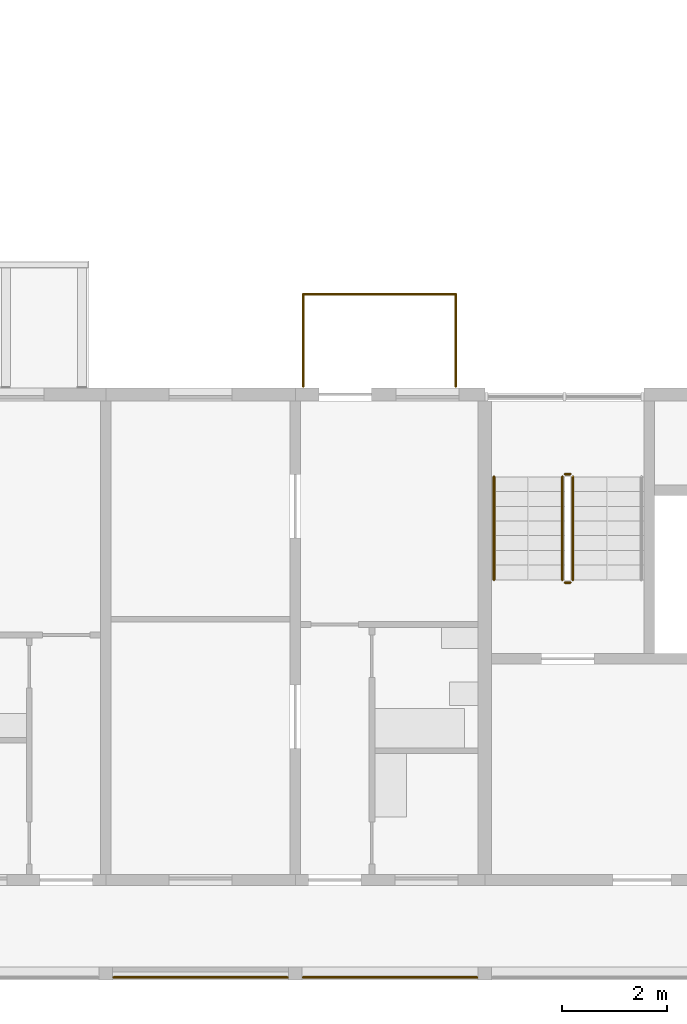
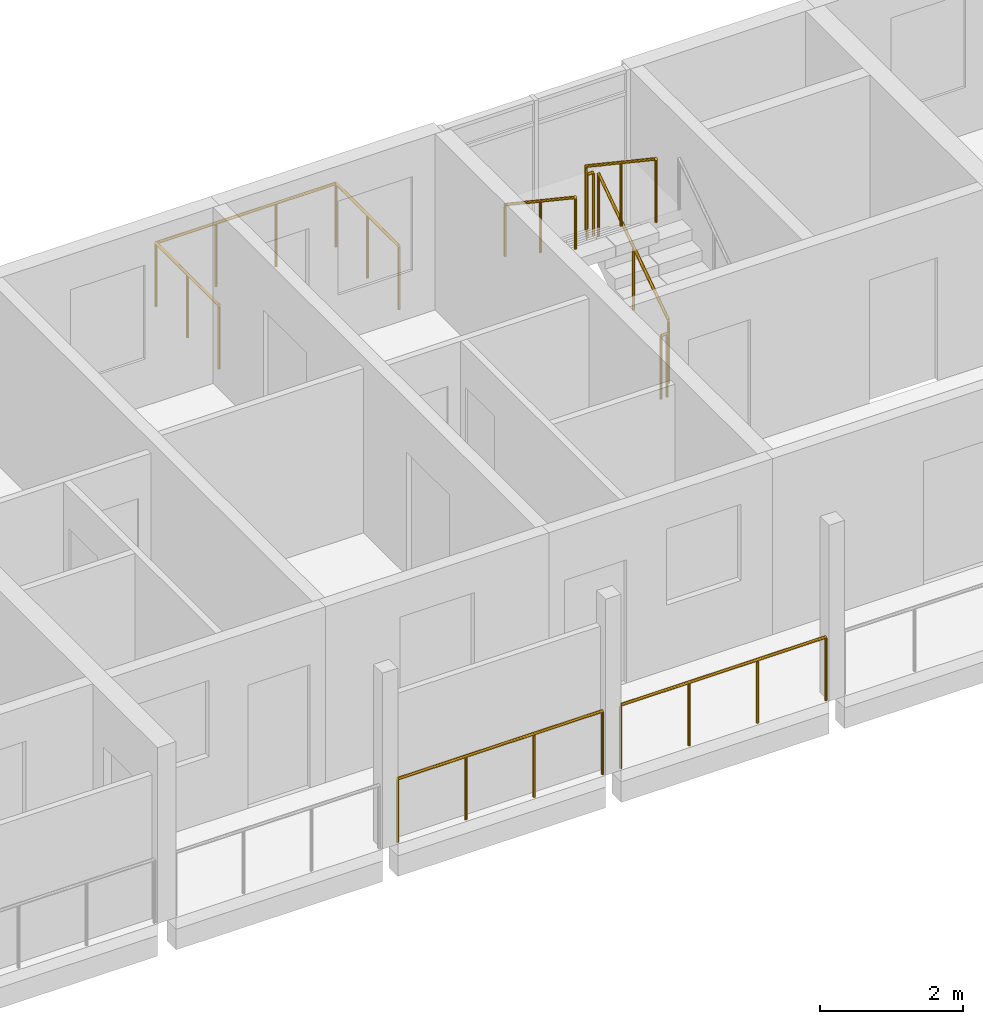
# One storey, part 73 of 93: 8 railings.
"""IFC4 building model written with IfcOpenShell, lengths in metres."""

from ifc_helpers import new_model, si_unit, direction, frame, origin, origin_2d, place, context, subcontext, project, spatial, circle, extrude, material, type_object, element, save


model = new_model("IFC4")

# Units and contexts
model_context = context("Model", 3, precision=1e-05, world=origin(), true_north=direction((0.0, 1.0)))
body_context = subcontext(model_context, "Body", "Model", "MODEL_VIEW")
ifc_project = project(units=[si_unit("LENGTHUNIT", "METRE"), si_unit("AREAUNIT", "SQUARE_METRE"), si_unit("VOLUMEUNIT", "CUBIC_METRE"), si_unit("PLANEANGLEUNIT", "RADIAN"), si_unit("MASSUNIT", "GRAM", prefix="KILO")], contexts=[model_context])

# Site, building, storey
site_placement = place(None, origin())
site = spatial("IfcSite", under=ifc_project, at=site_placement, CompositionType="ELEMENT")
building_placement = place(site_placement, origin())
building = spatial("IfcBuilding", under=site, at=building_placement, Name="Ridgestep Commons", CompositionType="ELEMENT")
storey_placement = place(building_placement, frame((0.0, 0.0, 18.0)))
storey = spatial("IfcBuildingStorey", under=building, at=storey_placement, Name="L06", CompositionType="ELEMENT", Elevation=18.0)

# Railings
ifc_material_1 = material(Name="Structural steel S355JR", Category="steel")
railing_type_1 = type_object("IfcRailingType", Name="Guard 1100", PredefinedType="GUARDRAIL", material=ifc_material_1)
railing_1_placement = place(storey_placement, frame((66.14599609375, 11.800048828125, 0.0)))
element("IfcRailing", 1, at=railing_1_placement, inside=storey, type_object=railing_type_1, Name="Gallery guard A 06.14", PredefinedType="GUARDRAIL", context=body_context, shape_type="SweptSolid", body=[
    extrude(circle(Radius=0.02392578125, at=origin_2d()), frame((0.0, 0.0, 1.076171875), z_axis=(1.0, 0.0, 0.0), x_axis=(0.0, 1.0, 0.0)), (0.0, 0.0, 1.0), 3.30810546875),
    extrude(circle(Radius=0.02099609375, at=origin_2d()), origin(), (0.0, 0.0, 1.0), 1.052001953125),
    extrude(circle(Radius=0.02099609375, at=origin_2d()), frame((1.102783203125, 0.0, 0.0)), (0.0, 0.0, 1.0), 1.052001953125),
    extrude(circle(Radius=0.02099609375, at=origin_2d()), frame((2.205322265625, 0.0, 0.0)), (0.0, 0.0, 1.0), 1.052001953125),
    extrude(circle(Radius=0.02099609375, at=origin_2d()), frame((3.30810546875, 0.0, 0.0)), (0.0, 0.0, 1.0), 1.052001953125),
])
railing_2_placement = place(storey_placement, frame((69.74609375, 11.800048828125, 0.0)))
element("IfcRailing", 2, at=railing_2_placement, inside=storey, type_object=railing_type_1, Name="Gallery guard A 06.15", PredefinedType="GUARDRAIL", context=body_context, shape_type="SweptSolid", body=[
    extrude(circle(Radius=0.02392578125, at=origin_2d()), frame((0.0, 0.0, 1.076171875), z_axis=(1.0, 0.0, 0.0), x_axis=(0.0, 1.0, 0.0)), (0.0, 0.0, 1.0), 3.307861328125),
    extrude(circle(Radius=0.02099609375, at=origin_2d()), origin(), (0.0, 0.0, 1.0), 1.052001953125),
    extrude(circle(Radius=0.02099609375, at=origin_2d()), frame((1.1025390625, 0.0, 0.0)), (0.0, 0.0, 1.0), 1.052001953125),
    extrude(circle(Radius=0.02099609375, at=origin_2d()), frame((2.205322265625, 0.0, 0.0)), (0.0, 0.0, 1.0), 1.052001953125),
    extrude(circle(Radius=0.02099609375, at=origin_2d()), frame((3.307861328125, 0.0, 0.0)), (0.0, 0.0, 1.0), 1.052001953125),
])
ifc_material_2 = material(Name="Structural steel S355JR", Category="steel")
railing_type_2 = type_object("IfcRailingType", Name="Stair guard 1100", PredefinedType="GUARDRAIL", material=ifc_material_2)
railing_3_placement = place(storey_placement, frame((74.875, 19.35009765625, 0.1875)))
element("IfcRailing", 3, at=railing_3_placement, inside=storey, type_object=railing_type_2, Name="L06 A4C stair guard 1", PredefinedType="GUARDRAIL", context=body_context, shape_type="SweptSolid", body=[
    extrude(circle(Radius=0.02392578125, at=origin_2d()), frame((0.0, 0.0, 1.076171875), z_axis=(0.0, 0.830902050051, 0.556418712142), x_axis=(-1.0, 0.0, 0.0)), (0.0, 0.0, 1.0), 2.35888671875),
    extrude(circle(Radius=0.02099609375, at=origin_2d()), origin(), (0.0, 0.0, 1.0), 1.052001953125),
    extrude(circle(Radius=0.02099609375, at=origin_2d()), frame((0.0, 0.97998046875, 0.65625)), (0.0, 0.0, 1.0), 1.052001953125),
    extrude(circle(Radius=0.02099609375, at=origin_2d()), frame((0.0, 1.9599609375, 1.3125)), (0.0, 0.0, 1.0), 1.052001953125),
])
railing_4_placement = place(storey_placement, frame((74.824951171875, 21.360107421875, 1.5)))
element("IfcRailing", 4, at=railing_4_placement, inside=storey, type_object=railing_type_2, Name="L06 A4C stair guard 2", PredefinedType="GUARDRAIL", context=body_context, shape_type="SweptSolid", body=[
    extrude(circle(Radius=0.02392578125, at=origin_2d()), frame((0.0, 0.0, 1.076171875), z_axis=(-1.0, 0.0, 0.0), x_axis=(0.0, -1.0, 0.0)), (0.0, 0.0, 1.0), 0.099853515625),
    extrude(circle(Radius=0.02099609375, at=origin_2d()), origin(), (0.0, 0.0, 1.0), 1.052001953125),
    extrude(circle(Radius=0.02099609375, at=origin_2d()), frame((-0.099853515625, 0.0, 0.0)), (0.0, 0.0, 1.0), 1.052001953125),
])
railing_5_placement = place(storey_placement, frame((74.675048828125, 21.31005859375, 1.6875)))
element("IfcRailing", 5, at=railing_5_placement, inside=storey, type_object=railing_type_2, Name="L06 A4C stair guard 3", PredefinedType="GUARDRAIL", context=body_context, shape_type="SweptSolid", body=[
    extrude(circle(Radius=0.02392578125, at=origin_2d()), frame((0.0, 0.0, 1.076171875), z_axis=(0.0, -0.830902050051, 0.556418712142), x_axis=(1.0, 0.0, 0.0)), (0.0, 0.0, 1.0), 2.35888671875),
    extrude(circle(Radius=0.02099609375, at=origin_2d()), origin(), (0.0, 0.0, 1.0), 1.052001953125),
    extrude(circle(Radius=0.02099609375, at=origin_2d()), frame((0.0, -0.97998046875, 0.65625)), (0.0, 0.0, 1.0), 1.052001953125),
    extrude(circle(Radius=0.02099609375, at=origin_2d()), frame((0.0, -1.9599609375, 1.3125)), (0.0, 0.0, 1.0), 1.052001953125),
])
railing_6_placement = place(storey_placement, frame((74.824951171875, 19.300048828125, 0.0)))
element("IfcRailing", 6, at=railing_6_placement, inside=storey, type_object=railing_type_2, Name="L06 A4C stair guard 4", PredefinedType="GUARDRAIL", context=body_context, shape_type="SweptSolid", body=[
    extrude(circle(Radius=0.02392578125, at=origin_2d()), frame((0.0, 0.0, 1.076171875), z_axis=(-1.0, 0.0, 0.0), x_axis=(0.0, -1.0, 0.0)), (0.0, 0.0, 1.0), 0.099853515625),
    extrude(circle(Radius=0.02099609375, at=origin_2d()), origin(), (0.0, 0.0, 1.0), 1.052001953125),
    extrude(circle(Radius=0.02099609375, at=origin_2d()), frame((-0.099853515625, 0.0, 0.0)), (0.0, 0.0, 1.0), 1.052001953125),
])
ifc_material_3 = material(Name="Structural steel S355JR", Category="steel")
railing_type_3 = type_object("IfcRailingType", Name="Stair handrail 900", PredefinedType="HANDRAIL", material=ifc_material_3)
railing_7_placement = place(storey_placement, frame((73.375, 21.31005859375, 1.6875)))
element("IfcRailing", 7, at=railing_7_placement, inside=storey, type_object=railing_type_3, Name="L06 A4C stair handrail 2", PredefinedType="HANDRAIL", context=body_context, shape_type="SweptSolid", body=[
    extrude(circle(Radius=0.02392578125, at=origin_2d()), frame((0.0, 0.0, 0.8759765625), z_axis=(0.0, -0.830902050051, 0.556418712142), x_axis=(1.0, 0.0, 0.0)), (0.0, 0.0, 1.0), 2.35888671875),
    extrude(circle(Radius=0.02099609375, at=origin_2d()), origin(), (0.0, 0.0, 1.0), 0.851806640625),
    extrude(circle(Radius=0.02099609375, at=origin_2d()), frame((0.0, -0.97998046875, 0.65625)), (0.0, 0.0, 1.0), 0.851806640625),
    extrude(circle(Radius=0.02099609375, at=origin_2d()), frame((0.0, -1.9599609375, 1.3125)), (0.0, 0.0, 1.0), 0.851806640625),
])
ifc_material_4 = material(Name="Weathering steel S355J2W", Category="steel")
railing_type_4 = type_object("IfcRailingType", Name="Tray guard 1100", PredefinedType="GUARDRAIL", material=ifc_material_4)
railing_8_placement = place(storey_placement, frame((69.7509765625, 23.02099609375, 0.0)))
element("IfcRailing", 8, at=railing_8_placement, inside=storey, type_object=railing_type_4, Name="Tray guard A4T3-06", PredefinedType="GUARDRAIL", context=body_context, shape_type="SweptSolid", body=[
    extrude(circle(Radius=0.02392578125, at=origin_2d()), frame((0.0, 0.0, 1.076171875), z_axis=(0.0, 1.0, 0.0), x_axis=(-1.0, 0.0, 0.0)), (0.0, 0.0, 1.0), 1.758056640625),
    extrude(circle(Radius=0.02392578125, at=origin_2d()), frame((0.0, 1.758056640625, 1.076171875), z_axis=(1.0, 0.0, 0.0), x_axis=(0.0, 1.0, 0.0)), (0.0, 0.0, 1.0), 2.89794921875),
    extrude(circle(Radius=0.02392578125, at=origin_2d()), frame((2.89794921875, 1.758056640625, 1.076171875), z_axis=(0.0, -1.0, 0.0), x_axis=(1.0, 0.0, 0.0)), (0.0, 0.0, 1.0), 1.758056640625),
    extrude(circle(Radius=0.02099609375, at=origin_2d()), origin(), (0.0, 0.0, 1.0), 1.052001953125),
    extrude(circle(Radius=0.02099609375, at=origin_2d()), frame((0.0, 0.87890625, 0.0)), (0.0, 0.0, 1.0), 1.052001953125),
    extrude(circle(Radius=0.02099609375, at=origin_2d()), frame((0.0, 1.758056640625, 0.0)), (0.0, 0.0, 1.0), 1.052001953125),
    extrude(circle(Radius=0.02099609375, at=origin_2d()), frame((0.966064453125, 1.758056640625, 0.0)), (0.0, 0.0, 1.0), 1.052001953125),
    extrude(circle(Radius=0.02099609375, at=origin_2d()), frame((1.931884765625, 1.758056640625, 0.0)), (0.0, 0.0, 1.0), 1.052001953125),
    extrude(circle(Radius=0.02099609375, at=origin_2d()), frame((2.89794921875, 1.758056640625, 0.0)), (0.0, 0.0, 1.0), 1.052001953125),
    extrude(circle(Radius=0.02099609375, at=origin_2d()), frame((2.89794921875, 0.87890625, 0.0)), (0.0, 0.0, 1.0), 1.052001953125),
    extrude(circle(Radius=0.02099609375, at=origin_2d()), frame((2.89794921875, 0.0, 0.0)), (0.0, 0.0, 1.0), 1.052001953125),
])

save(model, "model.ifc")
